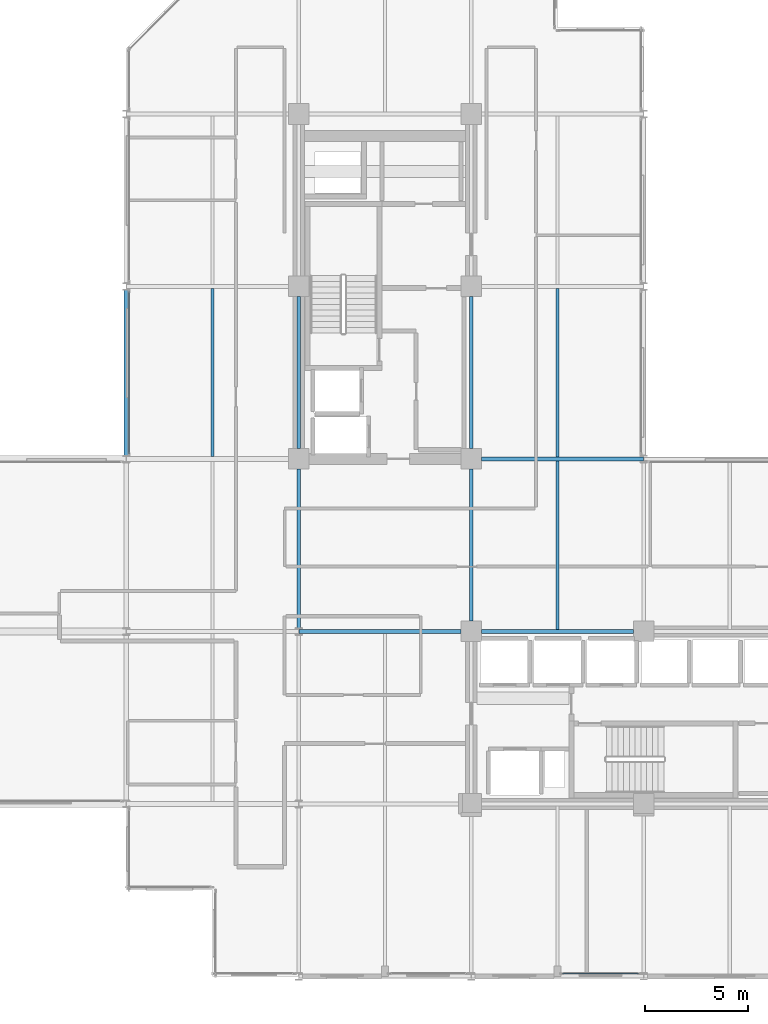
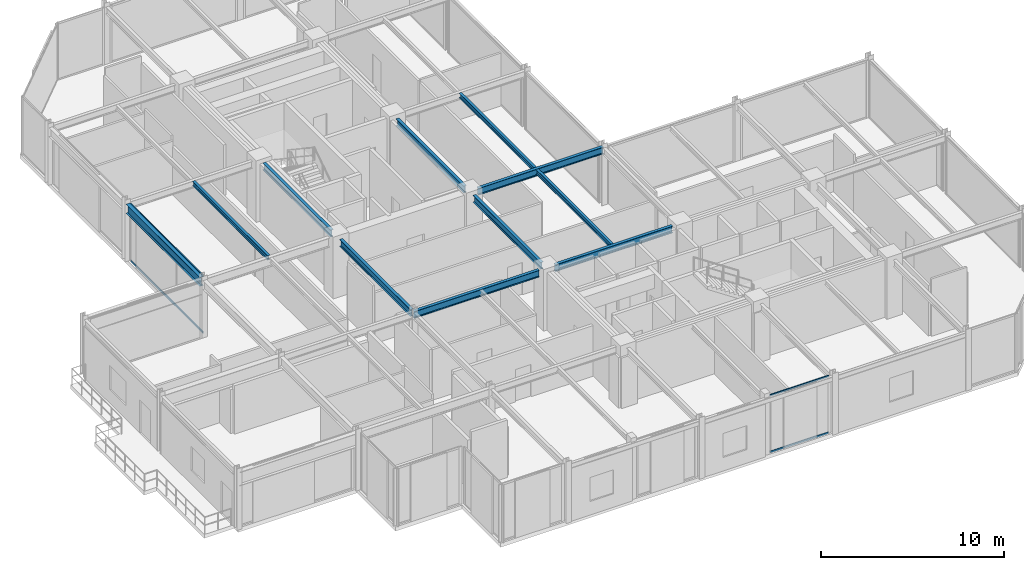
# One storey, part 10 of 29: 11 beams, 4 members, 2 elements without a shape of their own.
"""IFC4 building model written with IfcOpenShell, lengths in metres."""

import ifcopenshell
import ifcopenshell.guid

model = None  # the IFC model being written
_history = None  # IfcOwnerHistory: only IFC2X3 demands one
_inside = {}  # id of a spatial element -> (the spatial element, [elements in it])
_under = {}  # id of a project, library or spatial element -> (it, [spatial elements below it])
_declared = {}  # id of a project -> (the project, [libraries it declares])
_typed = {}  # id of a type object -> (the type object, [elements of that type])
_made_of = {}  # id of a material, layer set ... -> (it, [elements and type objects made of it])


def new_model(schema):
    """Start an empty IFC model of exactly this schema.

    Asked for "IFC4X3", IfcOpenShell would pick the latest addendum, in which some entities
    have other attributes; the version numbers below select the first issue.
    IFC2X3 requires an IfcOwnerHistory on every rooted entity: one is made here for all.
    """
    global model, _history
    if schema == "IFC4X3":
        model = ifcopenshell.file(schema_version=(4, 3, 0, 0))
    else:
        model = ifcopenshell.file(schema=schema)
    _inside.clear()
    _under.clear()
    _declared.clear()
    _typed.clear()
    _made_of.clear()
    _history = None
    if model.schema == "IFC2X3":
        org = make("IfcOrganization", Name="unknown")
        user = make(
            "IfcPersonAndOrganization",
            ThePerson=make("IfcPerson", FamilyName="unknown"),
            TheOrganization=org,
        )
        app = make(
            "IfcApplication",
            ApplicationDeveloper=org,
            Version="unknown",
            ApplicationFullName="unknown",
            ApplicationIdentifier="unknown",
        )
        _history = make(
            "IfcOwnerHistory",
            OwningUser=user,
            OwningApplication=app,
            ChangeAction="ADDED",
            CreationDate=0,
        )
    return model


def make(cls, **values):
    """One entity of the class cls with the attributes given. An attribute that is None is left unset."""
    return model.create_entity(
        cls, **{name: value for name, value in values.items() if value is not None}
    )


def rooted(cls, **values):
    """An entity with a GlobalId (a new one), such as an element, a storey or a relation."""
    return make(cls, GlobalId=ifcopenshell.guid.new(), OwnerHistory=_history, **values)


def si_unit(unit_type, name, prefix=None):
    """IfcSIUnit, for example si_unit("LENGTHUNIT", "METRE", prefix="MILLI")."""
    return make("IfcSIUnit", UnitType=unit_type, Prefix=prefix, Name=name)


def assignment(units):
    """IfcUnitAssignment: the units of a project."""
    return None if units is None else make("IfcUnitAssignment", Units=units)


def point(xyz):
    """IfcCartesianPoint."""
    return None if xyz is None else make("IfcCartesianPoint", Coordinates=xyz)


def direction(xyz):
    """IfcDirection."""
    return None if xyz is None else make("IfcDirection", DirectionRatios=xyz)


def frame(location, z_axis=None, x_axis=None):
    """IfcAxis2Placement3D, a coordinate frame: its origin and axes. An axis left out is left unset."""
    return make(
        "IfcAxis2Placement3D",
        Location=point(location),
        Axis=direction(z_axis),
        RefDirection=direction(x_axis),
    )


def frame_2d(location, x_axis=None):
    """IfcAxis2Placement2D, a coordinate frame in the plane: its origin and x axis."""
    return make(
        "IfcAxis2Placement2D", Location=point(location), RefDirection=direction(x_axis)
    )


def origin():
    """The frame at (0, 0, 0) with its axes left unset."""
    return frame((0.0, 0.0, 0.0))


def origin_2d():
    """The frame at (0, 0) in the plane with its x axis left unset."""
    return frame_2d((0.0, 0.0))


def place(relative_to, where):
    """IfcLocalPlacement: puts the frame where relative to a parent placement (None: the world)."""
    return make(
        "IfcLocalPlacement", PlacementRelTo=relative_to, RelativePlacement=where
    )


def context(
    kind, dimensions, precision=None, world=None, true_north=None, identifier=None
):
    """IfcGeometricRepresentationContext, for example the 3D "Model" context."""
    return make(
        "IfcGeometricRepresentationContext",
        ContextIdentifier=identifier,
        ContextType=kind,
        CoordinateSpaceDimension=dimensions,
        Precision=precision,
        WorldCoordinateSystem=world,
        TrueNorth=true_north,
    )


def subcontext(parent, identifier, kind, view, scale=None):
    """IfcGeometricRepresentationSubContext, for example "Body" below "Model"."""
    return make(
        "IfcGeometricRepresentationSubContext",
        ContextIdentifier=identifier,
        ContextType=kind,
        ParentContext=parent,
        TargetScale=scale,
        TargetView=view,
    )


def project(units=None, contexts=None):
    """IfcProject with its units and contexts."""
    return rooted(
        "IfcProject",
        Name="project",
        RepresentationContexts=contexts,
        UnitsInContext=assignment(units),
    )


def spatial(cls, under=None, at=None, **own):
    """A site, building, storey or space (cls), placed at a placement, below another one or the project."""
    s = rooted(cls, ObjectPlacement=at, **own)
    if under is not None:
        _under.setdefault(under.id(), (under, []))[1].append(s)
    return s


def profile(cls, at=None, kind="AREA", **sizes):
    """A parametric profile (cls). Its sizes go by their IFC names, for example OverallWidth=200.0."""
    return make(cls, ProfileType=kind, Position=at, **sizes)


def hollow_rectangle(**sizes):
    """IfcRectangleHollowProfileDef."""
    return profile("IfcRectangleHollowProfileDef", **sizes)


def i_section(**sizes):
    """IfcIShapeProfileDef."""
    return profile("IfcIShapeProfileDef", **sizes)


def extrude(swept, where, along, depth):
    """IfcExtrudedAreaSolid: the profile swept, set in the frame where, extruded along a direction by depth."""
    return make(
        "IfcExtrudedAreaSolid",
        SweptArea=swept,
        Position=where,
        ExtrudedDirection=direction(along),
        Depth=depth,
    )


def shape(context_of_items, identifier, shape_type, items):
    """IfcShapeRepresentation: the items that make up one representation, for example the "Body"."""
    return make(
        "IfcShapeRepresentation",
        ContextOfItems=context_of_items,
        RepresentationIdentifier=identifier,
        RepresentationType=shape_type,
        Items=items,
    )


def material(Name=None, Category=None):
    """IfcMaterial."""
    return make("IfcMaterial", Name=Name, Category=Category)


def layer(
    of_material, thickness, ventilated=None, Name=None, Category=None, Priority=None
):
    """IfcMaterialLayer: one layer of a wall or slab, of a material (None: an air gap)."""
    return make(
        "IfcMaterialLayer",
        Material=of_material,
        LayerThickness=thickness,
        IsVentilated=ventilated,
        Name=Name,
        Category=Category,
        Priority=Priority,
    )


def layer_set(layers, Name=None):
    """IfcMaterialLayerSet."""
    return make("IfcMaterialLayerSet", MaterialLayers=layers, LayerSetName=Name)


def material_profile(
    of_material, cross_section, Name=None, Category=None, Priority=None
):
    """IfcMaterialProfile: a cross section and its material."""
    return make(
        "IfcMaterialProfile",
        Name=Name,
        Material=of_material,
        Profile=cross_section,
        Priority=Priority,
        Category=Category,
    )


def profile_set(profiles, Name=None, composite=None):
    """IfcMaterialProfileSet."""
    return make(
        "IfcMaterialProfileSet",
        Name=Name,
        MaterialProfiles=profiles,
        CompositeProfile=composite,
    )


def made_of(thing, what):
    """Note that an element or type object is made of a material, layer set ...; save() writes the relation."""
    if what is not None:
        _made_of.setdefault(what.id(), (what, []))[1].append(thing)
    return thing


def type_object(cls, material=None, **own):
    """A type object (cls), such as IfcWallType, which elements share."""
    return made_of(rooted(cls, **own), material)


def element(
    cls,
    number,
    at=None,
    inside=None,
    cuts=None,
    type_object=None,
    material=None,
    context=None,
    identifier="Body",
    shape_type=None,
    held_by="IfcProductDefinitionShape",
    body=None,
    shapes=None,
    **own,
):
    """One element of the class cls, such as IfcWall. Its Tag is "e" and its number.

    at: its placement. inside: the storey or other place that contains it. cuts: it is an
    opening in that element (IfcRelVoidsElement). A single representation is given by context,
    identifier, shape_type and body (its items); several are given by shapes. held_by: the class
    of the entity that holds the representations. save() writes the other relations.
    """
    e = rooted(cls, Tag="e%d" % number, ObjectPlacement=at, **own)
    if body is not None:
        shapes = [shape(context, identifier, shape_type, body)]
    if shapes is not None:
        e.Representation = make(held_by, Representations=shapes)
    if inside is not None:
        _inside.setdefault(inside.id(), (inside, []))[1].append(e)
    if cuts is not None:
        rooted(
            "IfcRelVoidsElement", RelatingBuildingElement=cuts, RelatedOpeningElement=e
        )
    if type_object is not None:
        _typed.setdefault(type_object.id(), (type_object, []))[1].append(e)
    return made_of(e, material)


def aggregate(whole, parts):
    """IfcRelAggregates: a whole, such as a stair, and the parts it consists of."""
    return rooted("IfcRelAggregates", RelatingObject=whole, RelatedObjects=parts)


def save(model, path):
    """Write the relations noted so far, then the file.

    IfcRelAggregates (storeys below a building ...), IfcRelContainedInSpatialStructure (elements
    in a storey), IfcRelDefinesByType, IfcRelAssociatesMaterial and IfcRelDeclares: one each for
    every whole, place, type object, material and project.
    """
    for whole, parts in _under.values():
        aggregate(whole, parts)
    for where, things in _inside.values():
        rooted(
            "IfcRelContainedInSpatialStructure",
            RelatedElements=things,
            RelatingStructure=where,
        )
    for kind, things in _typed.values():
        rooted("IfcRelDefinesByType", RelatedObjects=things, RelatingType=kind)
    for what, things in _made_of.values():
        rooted("IfcRelAssociatesMaterial", RelatedObjects=things, RelatingMaterial=what)
    for by, libraries in _declared.values():
        rooted("IfcRelDeclares", RelatingContext=by, RelatedDefinitions=libraries)
    model.write(path)


model = new_model("IFC4")

# Units and contexts
model_context = context("Model", 3, precision=1e-05, world=origin(), true_north=direction((0.0, 1.0)))
body_context = subcontext(model_context, "Body", "Model", "MODEL_VIEW")
ifc_project = project(units=[si_unit("LENGTHUNIT", "METRE"), si_unit("AREAUNIT", "SQUARE_METRE"), si_unit("VOLUMEUNIT", "CUBIC_METRE"), si_unit("PLANEANGLEUNIT", "RADIAN"), si_unit("MASSUNIT", "GRAM", prefix="KILO")], contexts=[model_context])

# Site, building, storey
site_placement = place(None, origin())
site = spatial("IfcSite", under=ifc_project, at=site_placement, CompositionType="ELEMENT")
building_placement = place(site_placement, origin())
building = spatial("IfcBuilding", under=site, at=building_placement, Name="Nerrivon Quay Data Exchange", CompositionType="ELEMENT")
storey_placement = place(building_placement, frame((0.0, 0.0, 196.0)))
storey = spatial("IfcBuildingStorey", under=building, at=storey_placement, Name="L46", CompositionType="ELEMENT", Elevation=196.0)

# Beams
ifc_material_1 = material(Name="Steel Grade 350", Category="steel")
ifc_material_profile_1 = material_profile(ifc_material_1, i_section(OverallWidth=0.22802734375, OverallDepth=0.60205078125, WebThickness=0.010498046875, FlangeThickness=0.014892578125, FilletRadius=0.013916015625, at=origin_2d()), Name="610UB101")
ifc_profile_set_1 = profile_set([ifc_material_profile_1], Name="Steel Grade 350")
beam_type_1 = type_object("IfcBeamType", Name="BM-G2-610UB101", PredefinedType="BEAM", material=ifc_profile_set_1)
beam_1_placement = place(storey_placement, frame((0.0, 25.375, 3.52392578125), z_axis=(0.0, 1.0, 0.0), x_axis=(-1.0, 0.0, 0.0)))
element("IfcBeam", 1, at=beam_1_placement, inside=storey, type_object=beam_type_1, Name="L46 NS Girder X=0.0 (25.2..33.6)", PredefinedType="BEAM", context=body_context, shape_type="SweptSolid", body=[
    extrude(i_section(OverallWidth=0.22802734375, OverallDepth=0.60205078125, WebThickness=0.010498046875, FlangeThickness=0.014892578125, FilletRadius=0.013916015625, at=origin_2d()), origin(), (0.0, 0.0, 1.0), 8.050048828125),
])
ifc_material_profile_2 = material_profile(ifc_material_1, i_section(OverallWidth=0.19091796875, OverallDepth=0.4599609375, WebThickness=0.010009765625, FlangeThickness=0.01611328125, FilletRadius=0.011474609375, at=origin_2d()), Name="460UB82.1")
ifc_profile_set_2 = profile_set([ifc_material_profile_2], Name="Steel Grade 350")
beam_type_2 = type_object("IfcBeamType", Name="BM-G5-460UB82", PredefinedType="BEAM", material=ifc_profile_set_2)
beam_2_placement = place(storey_placement, frame((8.409912109375, 16.800048828125, 3.594970703125), z_axis=(1.0, 0.0, 0.0), x_axis=(0.0, 1.0, 0.0)))
element("IfcBeam", 2, at=beam_2_placement, inside=storey, type_object=beam_type_2, Name="L46 EW Girder Y=16.8 (8.4..16.8)", PredefinedType="BEAM", context=body_context, shape_type="SweptSolid", body=[
    extrude(i_section(OverallWidth=0.19091796875, OverallDepth=0.4599609375, WebThickness=0.010009765625, FlangeThickness=0.01611328125, FilletRadius=0.011474609375, at=origin_2d()), origin(), (0.0, 0.0, 1.0), 7.89013671875),
])
beam_3_placement = place(storey_placement, frame((17.300048828125, 16.800048828125, 3.594970703125), z_axis=(1.0, 0.0, 0.0), x_axis=(0.0, 1.0, 0.0)))
element("IfcBeam", 3, at=beam_3_placement, inside=storey, type_object=beam_type_2, Name="L46 EW Girder Y=16.8 (16.8..25.2)", PredefinedType="BEAM", context=body_context, shape_type="SweptSolid", body=[
    extrude(i_section(OverallWidth=0.19091796875, OverallDepth=0.4599609375, WebThickness=0.010009765625, FlangeThickness=0.01611328125, FilletRadius=0.011474609375, at=origin_2d()), origin(), (0.0, 0.0, 1.0), 7.39990234375),
])
beam_4_placement = place(storey_placement, frame((17.300048828125, 25.199951171875, 3.594970703125), z_axis=(1.0, 0.0, 0.0), x_axis=(0.0, 1.0, 0.0)))
element("IfcBeam", 4, at=beam_4_placement, inside=storey, type_object=beam_type_2, Name="L46 EW Girder Y=25.2 (16.8..25.2)", PredefinedType="BEAM", context=body_context, shape_type="SweptSolid", body=[
    extrude(i_section(OverallWidth=0.19091796875, OverallDepth=0.4599609375, WebThickness=0.010009765625, FlangeThickness=0.01611328125, FilletRadius=0.011474609375, at=origin_2d()), origin(), (0.0, 0.0, 1.0), 7.889892578125),
])
ifc_material_profile_3 = material_profile(ifc_material_1, i_section(OverallWidth=0.18994140625, OverallDepth=0.4541015625, WebThickness=0.008544921875, FlangeThickness=0.0126953125, FilletRadius=0.011474609375, at=origin_2d()), Name="460UB67.1")
ifc_profile_set_3 = profile_set([ifc_material_profile_3], Name="Steel Grade 350")
beam_type_3 = type_object("IfcBeamType", Name="BM-G6-460UB67", PredefinedType="BEAM", material=ifc_profile_set_3)
beam_5_placement = place(storey_placement, frame((8.39990234375, 16.97509765625, 3.597900390625), z_axis=(0.0, 1.0, 0.0), x_axis=(-1.0, 0.0, 0.0)))
element("IfcBeam", 5, at=beam_5_placement, inside=storey, type_object=beam_type_3, Name="L46 NS Girder X=8.4 (16.8..25.2)", PredefinedType="BEAM", context=body_context, shape_type="SweptSolid", body=[
    extrude(i_section(OverallWidth=0.18994140625, OverallDepth=0.4541015625, WebThickness=0.008544921875, FlangeThickness=0.0126953125, FilletRadius=0.011474609375, at=origin_2d()), origin(), (0.0, 0.0, 1.0), 7.724853515625),
])
beam_6_placement = place(storey_placement, frame((8.39990234375, 25.699951171875, 3.597900390625), z_axis=(0.0, 1.0, 0.0), x_axis=(-1.0, 0.0, 0.0)))
element("IfcBeam", 6, at=beam_6_placement, inside=storey, type_object=beam_type_3, Name="L46 NS Girder X=8.4 (25.2..33.6)", PredefinedType="BEAM", context=body_context, shape_type="SweptSolid", body=[
    extrude(i_section(OverallWidth=0.18994140625, OverallDepth=0.4541015625, WebThickness=0.008544921875, FlangeThickness=0.0126953125, FilletRadius=0.011474609375, at=origin_2d()), origin(), (0.0, 0.0, 1.0), 7.400146484375),
])
beam_7_placement = place(storey_placement, frame((16.800048828125, 17.300048828125, 3.597900390625), z_axis=(0.0, 1.0, 0.0), x_axis=(-1.0, 0.0, 0.0)))
element("IfcBeam", 7, at=beam_7_placement, inside=storey, type_object=beam_type_3, Name="L46 NS Girder X=16.8 (16.8..25.2)", PredefinedType="BEAM", context=body_context, shape_type="SweptSolid", body=[
    extrude(i_section(OverallWidth=0.18994140625, OverallDepth=0.4541015625, WebThickness=0.008544921875, FlangeThickness=0.0126953125, FilletRadius=0.011474609375, at=origin_2d()), origin(), (0.0, 0.0, 1.0), 7.39990234375),
])
beam_8_placement = place(storey_placement, frame((16.800048828125, 25.699951171875, 3.597900390625), z_axis=(0.0, 1.0, 0.0), x_axis=(-1.0, 0.0, 0.0)))
element("IfcBeam", 8, at=beam_8_placement, inside=storey, type_object=beam_type_3, Name="L46 NS Girder X=16.8 (25.2..33.6)", PredefinedType="BEAM", context=body_context, shape_type="SweptSolid", body=[
    extrude(i_section(OverallWidth=0.18994140625, OverallDepth=0.4541015625, WebThickness=0.008544921875, FlangeThickness=0.0126953125, FilletRadius=0.011474609375, at=origin_2d()), origin(), (0.0, 0.0, 1.0), 7.400146484375),
])
ifc_material_profile_4 = material_profile(ifc_material_1, i_section(OverallWidth=0.166015625, OverallDepth=0.306884765625, WebThickness=0.006591796875, FlangeThickness=0.01171875, FilletRadius=0.011474609375, at=origin_2d()), Name="310UB46.2")
ifc_profile_set_4 = profile_set([ifc_material_profile_4], Name="Steel Grade 350")
beam_type_4 = type_object("IfcBeamType", Name="BM-J5-310UB46", PredefinedType="JOIST", material=ifc_profile_set_4)
beam_9_placement = place(storey_placement, frame((4.199951171875, 25.314453125, 3.67138671875), z_axis=(0.0, 1.0, 0.0), x_axis=(-1.0, 0.0, 0.0)))
element("IfcBeam", 9, at=beam_9_placement, inside=storey, type_object=beam_type_4, Name="L46 Secondary Joist X=4.2 (25.2..33.6)", PredefinedType="JOIST", context=body_context, shape_type="SweptSolid", body=[
    extrude(i_section(OverallWidth=0.166015625, OverallDepth=0.306884765625, WebThickness=0.006591796875, FlangeThickness=0.01171875, FilletRadius=0.011474609375, at=origin_2d()), origin(), (0.0, 0.0, 1.0), 8.18994140625),
])
for number, where, z_axis, x_axis, name in (
    (10, (21.0, 16.8955078125, 3.67138671875), (0.0, 1.0, 0.0), (-1.0, 0.0, 0.0), "L46 Secondary Joist X=21.0 (16.8..25.2)"),
    (11, (21.0, 25.29541015625, 3.67138671875), (0.0, 1.0, 0.0), (-1.0, 0.0, 0.0), "L46 Secondary Joist X=21.0 (25.2..33.6)"),
):
    element("IfcBeam", number, at=place(storey_placement, frame(where, z_axis=z_axis, x_axis=x_axis)), inside=storey, type_object=beam_type_4, Name=name, PredefinedType="JOIST", context=body_context, shape_type="SweptSolid", body=[
        extrude(i_section(OverallWidth=0.166015625, OverallDepth=0.306884765625, WebThickness=0.006591796875, FlangeThickness=0.01171875, FilletRadius=0.011474609375, at=origin_2d()), origin(), (0.0, 0.0, 1.0), 8.208984375),
    ])

# Curtain wall, members
ifc_material_2 = material(Name="Anodised aluminium 6063-T6", Category="aluminium")
ifc_layer = layer(ifc_material_2, 0.195068359375)
ifc_layer_set = layer_set([ifc_layer], Name="Anodised aluminium 6063-T6")
curtain_wall_type = type_object("IfcCurtainWallType", Name="CW-SYS-06", PredefinedType="NOTDEFINED", material=ifc_layer_set)
curtain_wall_1_placement = place(storey_placement, origin())
curtain_wall_1 = element("IfcCurtainWall", 12, at=curtain_wall_1_placement, inside=storey, type_object=curtain_wall_type, Name="L46 Unitised Curtain Wall 4", PredefinedType="NOTDEFINED")
ifc_material_profile_5 = material_profile(ifc_material_2, hollow_rectangle(XDim=0.06005859375, YDim=0.1201171875, WallThickness=0.003173828125, at=origin_2d()), Name="ALU-TRAN-120x60")
ifc_profile_set_5 = profile_set([ifc_material_profile_5], Name="Anodised aluminium 6063-T6")
member_type = type_object("IfcMemberType", Name="CWT-120x60", PredefinedType="USERDEFINED", material=ifc_profile_set_5)
member_1_placement = place(storey_placement, frame((0.139892578125, 25.449951171875, 0.032470703125), z_axis=(0.0, 1.0, 0.0), x_axis=(-1.0, 0.0, 0.0)))
member_1 = element("IfcMember", 13, at=member_1_placement, type_object=member_type, Name="CW06 transom 1.1", ObjectType="TRANSOM", PredefinedType="USERDEFINED", context=body_context, shape_type="SweptSolid", body=[
    extrude(hollow_rectangle(XDim=0.06005859375, YDim=0.1201171875, WallThickness=0.003173828125, at=origin_2d()), origin(), (0.0, 0.0, 1.0), 7.900146484375),
])
member_2_placement = place(storey_placement, frame((0.139892578125, 25.449951171875, 3.79248046875), z_axis=(0.0, 1.0, 0.0), x_axis=(-1.0, 0.0, 0.0)))
member_2 = element("IfcMember", 14, at=member_2_placement, type_object=member_type, Name="CW06 transom 1.2", ObjectType="TRANSOM", PredefinedType="USERDEFINED", context=body_context, shape_type="SweptSolid", body=[
    extrude(hollow_rectangle(XDim=0.06005859375, YDim=0.1201171875, WallThickness=0.003173828125, at=origin_2d()), origin(), (0.0, 0.0, 1.0), 7.900146484375),
])
aggregate(curtain_wall_1, [member_1, member_2])

curtain_wall_2_placement = place(storey_placement, origin())
curtain_wall_2 = element("IfcCurtainWall", 15, at=curtain_wall_2_placement, inside=storey, type_object=curtain_wall_type, Name="L46 Unitised Curtain Wall 24", PredefinedType="NOTDEFINED")
member_3_placement = place(storey_placement, frame((24.949951171875, 0.139892578125, 0.032470703125), z_axis=(-1.0, 0.0, 0.0), x_axis=(0.0, -1.0, 0.0)))
member_3 = element("IfcMember", 16, at=member_3_placement, type_object=member_type, Name="CW06 transom 1.1", ObjectType="TRANSOM", PredefinedType="USERDEFINED", context=body_context, shape_type="SweptSolid", body=[
    extrude(hollow_rectangle(XDim=0.06005859375, YDim=0.1201171875, WallThickness=0.003173828125, at=origin_2d()), origin(), (0.0, 0.0, 1.0), 3.699951171875),
])
member_4_placement = place(storey_placement, frame((24.949951171875, 0.139892578125, 3.79248046875), z_axis=(-1.0, 0.0, 0.0), x_axis=(0.0, -1.0, 0.0)))
member_4 = element("IfcMember", 17, at=member_4_placement, type_object=member_type, Name="CW06 transom 1.2", ObjectType="TRANSOM", PredefinedType="USERDEFINED", context=body_context, shape_type="SweptSolid", body=[
    extrude(hollow_rectangle(XDim=0.06005859375, YDim=0.1201171875, WallThickness=0.003173828125, at=origin_2d()), origin(), (0.0, 0.0, 1.0), 3.699951171875),
])
aggregate(curtain_wall_2, [member_3, member_4])

save(model, "model.ifc")
